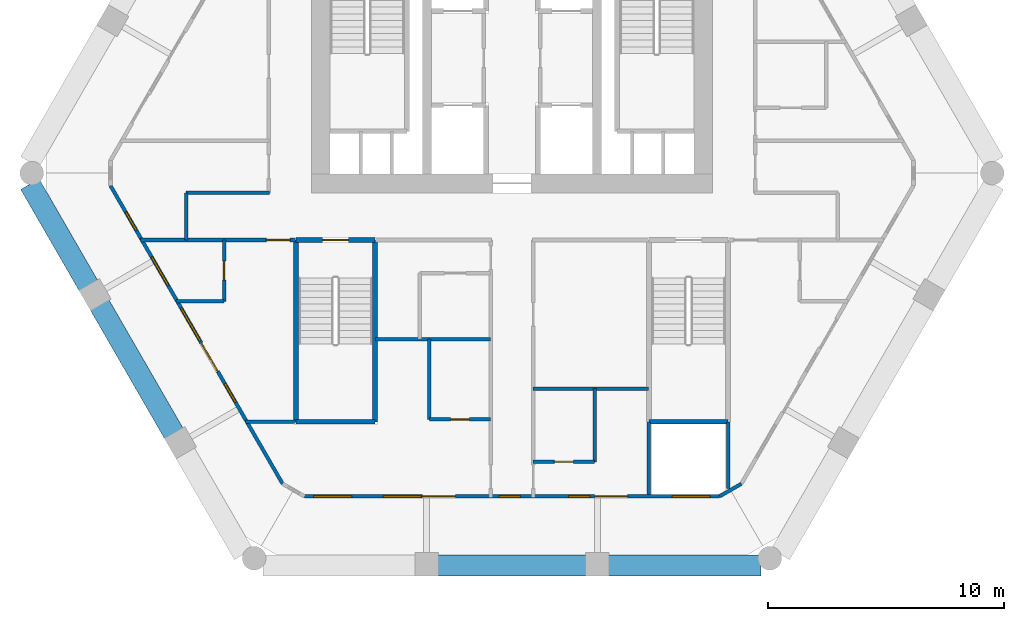
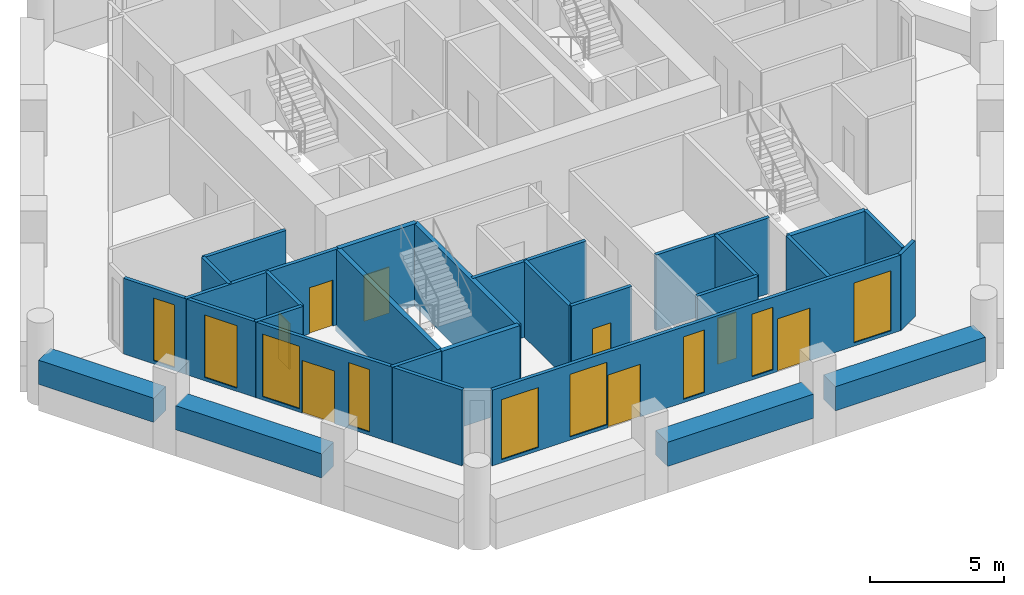
# One storey, part 2 of 7: 26 walls, 9 windows, 8 doors, 17 openings.
"""IFC4 building model written with IfcOpenShell, lengths in metres."""

from ifc_helpers import new_model, si_unit, direction, frame, frame_2d, origin, place, context, subcontext, project, spatial, rectangle, extrude, material, layer, layer_set, type_object, element, fill, save


model = new_model("IFC4")

# Units and contexts
model_context = context("Model", 3, precision=1e-05, world=origin(), true_north=direction((0.0, 1.0)))
body_context = subcontext(model_context, "Body", "Model", "MODEL_VIEW")
ifc_project = project(units=[si_unit("LENGTHUNIT", "METRE"), si_unit("AREAUNIT", "SQUARE_METRE"), si_unit("VOLUMEUNIT", "CUBIC_METRE"), si_unit("PLANEANGLEUNIT", "RADIAN"), si_unit("MASSUNIT", "GRAM", prefix="KILO")], contexts=[model_context])

# Site, building, storey
site_placement = place(None, origin())
site = spatial("IfcSite", under=ifc_project, at=site_placement, CompositionType="ELEMENT")
building_placement = place(site_placement, origin())
building = spatial("IfcBuilding", under=site, at=building_placement, Name="Ostrander Bayou Hotel Tower", CompositionType="ELEMENT")
storey_placement = place(building_placement, frame((0.0, 0.0, 190.75)))
storey = spatial("IfcBuildingStorey", under=building, at=storey_placement, Name="L47", CompositionType="ELEMENT", Elevation=190.75)

# Wall, openings, door, windows
ifc_material_1 = material(Name="Aluminium framed insulated wall", Category="aluminium")
ifc_layer_1 = layer(ifc_material_1, 0.14990234375)
ifc_layer_set_1 = layer_set([ifc_layer_1], Name="GW1 glass-line wall 150 mm")
wall_type_1 = type_object("IfcWallType", Name="GW1 glass-line wall 150 mm", PredefinedType="SOLIDWALL", material=ifc_layer_set_1)
wall_1_placement = place(storey_placement, frame((-17.003173828125, -1.39990234375, 0.0), z_axis=(0.0, 0.0, 1.0), x_axis=(0.500006098247, -0.866021882931, 0.0)))
wall_1 = element("IfcWall", 1, at=wall_1_placement, inside=storey, type_object=wall_type_1, Name="GW1 L47 SW 1", PredefinedType="SOLIDWALL", context=body_context, shape_type="SweptSolid", body=[
    extrude(rectangle(XDim=14.578369140625, YDim=0.14990234375, at=frame_2d((7.2890625, 0.0))), origin(), (0.0, 0.0, 1.0), 3.449951171875),
])
opening_1_placement = place(wall_1_placement, frame((1.289306640625, 0.0, 0.14990234375)))
opening_1 = element("IfcOpeningElement", 2, at=opening_1_placement, cuts=wall_1, Name="Opening W17", PredefinedType="OPENING", context=body_context, shape_type="SweptSolid", body=[
    extrude(rectangle(XDim=0.89990234375, YDim=2.85009765625, at=frame_2d((0.449951171875, 1.425048828125))), frame((0.0, 0.074951171875, 0.0), z_axis=(0.0, -1.0, 0.0), x_axis=(1.0, 0.0, 0.0)), (0.0, 0.0, 1.0), 0.14990234375),
])
opening_2_placement = place(wall_1_placement, frame((3.4892578125, 0.0, 0.14990234375)))
opening_2 = element("IfcOpeningElement", 3, at=opening_2_placement, cuts=wall_1, Name="Opening W13", PredefinedType="OPENING", context=body_context, shape_type="SweptSolid", body=[
    extrude(rectangle(XDim=1.39990234375, YDim=2.85009765625, at=frame_2d((0.699951171875, 1.425048828125))), frame((0.0, 0.074951171875, 0.0), z_axis=(0.0, -1.0, 0.0), x_axis=(1.0, 0.0, 0.0)), (0.0, 0.0, 1.0), 0.14990234375),
])
opening_3_placement = place(wall_1_placement, frame((5.982177734375, 0.0, 0.14990234375)))
opening_3 = element("IfcOpeningElement", 4, at=opening_3_placement, cuts=wall_1, Name="Opening W3", PredefinedType="OPENING", context=body_context, shape_type="SweptSolid", body=[
    extrude(rectangle(XDim=1.60009765625, YDim=2.85009765625, at=frame_2d((0.800048828125, 1.425048828125))), frame((0.0, 0.074951171875, 0.0), z_axis=(0.0, -1.0, 0.0), x_axis=(1.0, 0.0, 0.0)), (0.0, 0.0, 1.0), 0.14990234375),
])
opening_4_placement = place(wall_1_placement, frame((7.689208984375, 0.0, 0.0)))
opening_4 = element("IfcOpeningElement", 5, at=opening_4_placement, cuts=wall_1, Name="Opening T47-802", PredefinedType="OPENING", context=body_context, shape_type="SweptSolid", body=[
    extrude(rectangle(XDim=1.39990234375, YDim=2.39990234375, at=frame_2d((0.699951171875, 1.199951171875))), frame((0.0, 0.074951171875, 0.0), z_axis=(0.0, -1.0, 0.0), x_axis=(1.0, 0.0, 0.0)), (0.0, 0.0, 1.0), 0.14990234375),
])
opening_5_placement = place(wall_1_placement, frame((9.689208984375, 0.0, 0.14990234375)))
opening_5 = element("IfcOpeningElement", 6, at=opening_5_placement, cuts=wall_1, Name="Opening W17", PredefinedType="OPENING", context=body_context, shape_type="SweptSolid", body=[
    extrude(rectangle(XDim=0.89990234375, YDim=2.85009765625, at=frame_2d((0.449951171875, 1.425048828125))), frame((0.0, 0.074951171875, 0.0), z_axis=(0.0, -1.0, 0.0), x_axis=(1.0, 0.0, 0.0)), (0.0, 0.0, 1.0), 0.14990234375),
])
ifc_material_2 = material(Name="Aluminium and clear glass", Category="aluminium")
door_type_1 = type_object("IfcDoorType", Name="SD3 sliding glass door 1400 mm, zone 3", OperationType="SLIDING_TO_LEFT", PredefinedType="DOOR", material=ifc_material_2)
door_1_placement = place(opening_4_placement, origin())
door_1 = element("IfcDoor", 7, at=door_1_placement, inside=storey, type_object=door_type_1, Name="SD3 L47 SW 2", OperationType="SLIDING_TO_RIGHT", OverallHeight=2.39990234375, OverallWidth=1.39990234375, PredefinedType="DOOR", context=body_context, shape_type="SweptSolid", body=[
    extrude(rectangle(XDim=1.39990234375, YDim=2.39990234375, at=frame_2d((0.699951171875, 1.199951171875))), frame((0.0, 0.02490234375, 0.0), z_axis=(0.0, -1.0, 0.0), x_axis=(1.0, 0.0, 0.0)), (0.0, 0.0, 1.0), 0.050048828125),
])
fill(opening_4, door_1)
ifc_material_3 = material(Name="Aluminium and clear glass", Category="aluminium")
window_type_1 = type_object("IfcWindowType", Name="W13 fixed window 1400 mm, bath bay, zone 3", PartitioningType="SINGLE_PANEL", PredefinedType="WINDOW", material=ifc_material_3)
window_1_placement = place(opening_2_placement, origin())
window_1 = element("IfcWindow", 8, at=window_1_placement, inside=storey, type_object=window_type_1, Name="W13 L47 SW 1", OverallHeight=2.85009765625, OverallWidth=1.39990234375, PartitioningType="SINGLE_PANEL", PredefinedType="WINDOW", context=body_context, shape_type="SweptSolid", body=[
    extrude(rectangle(XDim=1.39990234375, YDim=2.85009765625, at=frame_2d((0.699951171875, 1.425048828125))), frame((0.0, 0.030029296875, 0.0), z_axis=(0.0, -1.0, 0.0), x_axis=(1.0, 0.0, 0.0)), (0.0, 0.0, 1.0), 0.06005859375),
])
fill(opening_2, window_1)
ifc_material_4 = material(Name="Aluminium and clear glass", Category="aluminium")
window_type_2 = type_object("IfcWindowType", Name="W17 window 900 mm, zone 3", PartitioningType="SINGLE_PANEL", PredefinedType="WINDOW", material=ifc_material_4)
window_2_placement = place(opening_1_placement, origin())
window_2 = element("IfcWindow", 9, at=window_2_placement, inside=storey, type_object=window_type_2, Name="W17 L47 SW 1", OverallHeight=2.85009765625, OverallWidth=0.89990234375, PartitioningType="SINGLE_PANEL", PredefinedType="WINDOW", context=body_context, shape_type="SweptSolid", body=[
    extrude(rectangle(XDim=0.89990234375, YDim=2.85009765625, at=frame_2d((0.449951171875, 1.425048828125))), frame((0.0, 0.030029296875, 0.0), z_axis=(0.0, -1.0, 0.0), x_axis=(1.0, 0.0, 0.0)), (0.0, 0.0, 1.0), 0.06005859375),
])
fill(opening_1, window_2)
window_3_placement = place(opening_5_placement, origin())
window_3 = element("IfcWindow", 10, at=window_3_placement, inside=storey, type_object=window_type_2, Name="W17 L47 SW 3", OverallHeight=2.85009765625, OverallWidth=0.89990234375, PartitioningType="SINGLE_PANEL", PredefinedType="WINDOW", context=body_context, shape_type="SweptSolid", body=[
    extrude(rectangle(XDim=0.89990234375, YDim=2.85009765625, at=frame_2d((0.449951171875, 1.425048828125))), frame((0.0, 0.030029296875, 0.0), z_axis=(0.0, -1.0, 0.0), x_axis=(1.0, 0.0, 0.0)), (0.0, 0.0, 1.0), 0.06005859375),
])
fill(opening_5, window_3)
ifc_material_5 = material(Name="Aluminium and clear glass", Category="aluminium")
window_type_3 = type_object("IfcWindowType", Name="W3 fixed window 1600 mm, zone 3", PartitioningType="SINGLE_PANEL", PredefinedType="WINDOW", material=ifc_material_5)
window_4_placement = place(opening_3_placement, origin())
window_4 = element("IfcWindow", 11, at=window_4_placement, inside=storey, type_object=window_type_3, Name="W3 L47 SW 2", OverallHeight=2.85009765625, OverallWidth=1.60009765625, PartitioningType="SINGLE_PANEL", PredefinedType="WINDOW", context=body_context, shape_type="SweptSolid", body=[
    extrude(rectangle(XDim=1.60009765625, YDim=2.85009765625, at=frame_2d((0.800048828125, 1.425048828125))), frame((0.0, 0.030029296875, 0.0), z_axis=(0.0, -1.0, 0.0), x_axis=(1.0, 0.0, 0.0)), (0.0, 0.0, 1.0), 0.06005859375),
])
fill(opening_3, window_4)

# Wall, openings, doors, windows
wall_2_placement = place(storey_placement, frame((-8.79150390625, -14.5576171875, 0.0), z_axis=(0.0, 0.0, 1.0), x_axis=(1.0, 0.0, 0.0)))
wall_2 = element("IfcWall", 12, at=wall_2_placement, inside=storey, type_object=wall_type_1, Name="GW1 L47 S 1", PredefinedType="SOLIDWALL", context=body_context, shape_type="SweptSolid", body=[
    extrude(rectangle(XDim=17.5830078125, YDim=0.14990234375, at=frame_2d((8.79150390625, 0.0))), origin(), (0.0, 0.0, 1.0), 3.449951171875),
])
opening_6_placement = place(wall_2_placement, frame((3.341552734375, 0.0, 0.14990234375)))
opening_6 = element("IfcOpeningElement", 13, at=opening_6_placement, cuts=wall_2, Name="Opening W3", PredefinedType="OPENING", context=body_context, shape_type="SweptSolid", body=[
    extrude(rectangle(XDim=1.60009765625, YDim=2.85009765625, at=frame_2d((0.800048828125, 1.425048828125))), frame((0.0, 0.074951171875, 0.0), z_axis=(0.0, -1.0, 0.0), x_axis=(1.0, 0.0, 0.0)), (0.0, 0.0, 1.0), 0.14990234375),
])
opening_7_placement = place(wall_2_placement, frame((4.991455078125, 0.0, 0.0)))
opening_7 = element("IfcOpeningElement", 14, at=opening_7_placement, cuts=wall_2, Name="Opening T47-803", PredefinedType="OPENING", context=body_context, shape_type="SweptSolid", body=[
    extrude(rectangle(XDim=1.39990234375, YDim=2.39990234375, at=frame_2d((0.699951171875, 1.199951171875))), frame((0.0, 0.074951171875, 0.0), z_axis=(0.0, -1.0, 0.0), x_axis=(1.0, 0.0, 0.0)), (0.0, 0.0, 1.0), 0.14990234375),
])
opening_8_placement = place(wall_2_placement, frame((8.241455078125, 0.0, 0.14990234375)))
opening_8 = element("IfcOpeningElement", 15, at=opening_8_placement, cuts=wall_2, Name="Opening W17", PredefinedType="OPENING", context=body_context, shape_type="SweptSolid", body=[
    extrude(rectangle(XDim=0.89990234375, YDim=2.85009765625, at=frame_2d((0.449951171875, 1.425048828125))), frame((0.0, 0.074951171875, 0.0), z_axis=(0.0, -1.0, 0.0), x_axis=(1.0, 0.0, 0.0)), (0.0, 0.0, 1.0), 0.14990234375),
])
opening_9_placement = place(wall_2_placement, frame((11.19140625, 0.0, 0.14990234375)))
opening_9 = element("IfcOpeningElement", 16, at=opening_9_placement, cuts=wall_2, Name="Opening W17", PredefinedType="OPENING", context=body_context, shape_type="SweptSolid", body=[
    extrude(rectangle(XDim=0.89990234375, YDim=2.85009765625, at=frame_2d((0.449951171875, 1.425048828125))), frame((0.0, 0.074951171875, 0.0), z_axis=(0.0, -1.0, 0.0), x_axis=(1.0, 0.0, 0.0)), (0.0, 0.0, 1.0), 0.14990234375),
])
opening_10_placement = place(wall_2_placement, frame((12.29150390625, 0.0, 0.0)))
opening_10 = element("IfcOpeningElement", 17, at=opening_10_placement, cuts=wall_2, Name="Opening T47-804", PredefinedType="OPENING", context=body_context, shape_type="SweptSolid", body=[
    extrude(rectangle(XDim=1.39990234375, YDim=2.39990234375, at=frame_2d((0.699951171875, 1.199951171875))), frame((0.0, 0.074951171875, 0.0), z_axis=(0.0, -1.0, 0.0), x_axis=(1.0, 0.0, 0.0)), (0.0, 0.0, 1.0), 0.14990234375),
])
opening_11_placement = place(wall_2_placement, frame((0.395751953125, 0.0, 0.14990234375)))
opening_11 = element("IfcOpeningElement", 18, at=opening_11_placement, cuts=wall_2, Name="Opening W3", PredefinedType="OPENING", context=body_context, shape_type="SweptSolid", body=[
    extrude(rectangle(XDim=1.60009765625, YDim=2.72998046875, at=frame_2d((0.800048828125, 1.364990234375))), frame((0.0, 0.074951171875, 0.0), z_axis=(0.0, -1.0, 0.0), x_axis=(1.0, 0.0, 0.0)), (0.0, 0.0, 1.0), 0.14990234375),
])
opening_12_placement = place(wall_2_placement, frame((15.58740234375, 0.0, 0.14990234375)))
opening_12 = element("IfcOpeningElement", 19, at=opening_12_placement, cuts=wall_2, Name="Opening W3", PredefinedType="OPENING", context=body_context, shape_type="SweptSolid", body=[
    extrude(rectangle(XDim=1.60009765625, YDim=2.72998046875, at=frame_2d((0.800048828125, 1.364990234375))), frame((0.0, 0.074951171875, 0.0), z_axis=(0.0, -1.0, 0.0), x_axis=(1.0, 0.0, 0.0)), (0.0, 0.0, 1.0), 0.14990234375),
])
door_2_placement = place(opening_7_placement, origin())
door_2 = element("IfcDoor", 20, at=door_2_placement, inside=storey, type_object=door_type_1, Name="SD3 L47 S 1", OperationType="SLIDING_TO_LEFT", OverallHeight=2.39990234375, OverallWidth=1.39990234375, PredefinedType="DOOR", context=body_context, shape_type="SweptSolid", body=[
    extrude(rectangle(XDim=1.39990234375, YDim=2.39990234375, at=frame_2d((0.699951171875, 1.199951171875))), frame((0.0, 0.02490234375, 0.0), z_axis=(0.0, -1.0, 0.0), x_axis=(1.0, 0.0, 0.0)), (0.0, 0.0, 1.0), 0.050048828125),
])
fill(opening_7, door_2)
door_3_placement = place(opening_10_placement, origin())
door_3 = element("IfcDoor", 21, at=door_3_placement, inside=storey, type_object=door_type_1, Name="SD3 L47 S 3", OperationType="SLIDING_TO_LEFT", OverallHeight=2.39990234375, OverallWidth=1.39990234375, PredefinedType="DOOR", context=body_context, shape_type="SweptSolid", body=[
    extrude(rectangle(XDim=1.39990234375, YDim=2.39990234375, at=frame_2d((0.699951171875, 1.199951171875))), frame((0.0, 0.02490234375, 0.0), z_axis=(0.0, -1.0, 0.0), x_axis=(1.0, 0.0, 0.0)), (0.0, 0.0, 1.0), 0.050048828125),
])
fill(opening_10, door_3)
window_5_placement = place(opening_8_placement, origin())
window_5 = element("IfcWindow", 22, at=window_5_placement, inside=storey, type_object=window_type_2, Name="W17 L47 S 2", OverallHeight=2.85009765625, OverallWidth=0.89990234375, PartitioningType="SINGLE_PANEL", PredefinedType="WINDOW", context=body_context, shape_type="SweptSolid", body=[
    extrude(rectangle(XDim=0.89990234375, YDim=2.85009765625, at=frame_2d((0.449951171875, 1.425048828125))), frame((0.0, 0.030029296875, 0.0), z_axis=(0.0, -1.0, 0.0), x_axis=(1.0, 0.0, 0.0)), (0.0, 0.0, 1.0), 0.06005859375),
])
fill(opening_8, window_5)
window_6_placement = place(opening_9_placement, origin())
window_6 = element("IfcWindow", 23, at=window_6_placement, inside=storey, type_object=window_type_2, Name="W17 L47 S 3", OverallHeight=2.85009765625, OverallWidth=0.89990234375, PartitioningType="SINGLE_PANEL", PredefinedType="WINDOW", context=body_context, shape_type="SweptSolid", body=[
    extrude(rectangle(XDim=0.89990234375, YDim=2.85009765625, at=frame_2d((0.449951171875, 1.425048828125))), frame((0.0, 0.030029296875, 0.0), z_axis=(0.0, -1.0, 0.0), x_axis=(1.0, 0.0, 0.0)), (0.0, 0.0, 1.0), 0.06005859375),
])
fill(opening_9, window_6)
window_7_placement = place(opening_6_placement, origin())
window_7 = element("IfcWindow", 24, at=window_7_placement, inside=storey, type_object=window_type_3, Name="W3 L47 S 1", OverallHeight=2.85009765625, OverallWidth=1.60009765625, PartitioningType="SINGLE_PANEL", PredefinedType="WINDOW", context=body_context, shape_type="SweptSolid", body=[
    extrude(rectangle(XDim=1.60009765625, YDim=2.85009765625, at=frame_2d((0.800048828125, 1.425048828125))), frame((0.0, 0.030029296875, 0.0), z_axis=(0.0, -1.0, 0.0), x_axis=(1.0, 0.0, 0.0)), (0.0, 0.0, 1.0), 0.06005859375),
])
fill(opening_6, window_7)
window_8_placement = place(opening_11_placement, origin())
window_8 = element("IfcWindow", 25, at=window_8_placement, inside=storey, type_object=window_type_3, Name="W3 L47 S E11", OverallHeight=2.72998046875, OverallWidth=1.60009765625, PartitioningType="SINGLE_PANEL", PredefinedType="WINDOW", context=body_context, shape_type="SweptSolid", body=[
    extrude(rectangle(XDim=1.60009765625, YDim=2.72998046875, at=frame_2d((0.800048828125, 1.364990234375))), frame((0.0, 0.030029296875, 0.0), z_axis=(0.0, -1.0, 0.0), x_axis=(1.0, 0.0, 0.0)), (0.0, 0.0, 1.0), 0.06005859375),
])
fill(opening_11, window_8)
window_9_placement = place(opening_12_placement, origin())
window_9 = element("IfcWindow", 26, at=window_9_placement, inside=storey, type_object=window_type_3, Name="W3 L47 S E21", OverallHeight=2.72998046875, OverallWidth=1.60009765625, PartitioningType="SINGLE_PANEL", PredefinedType="WINDOW", context=body_context, shape_type="SweptSolid", body=[
    extrude(rectangle(XDim=1.60009765625, YDim=2.72998046875, at=frame_2d((0.800048828125, 1.364990234375))), frame((0.0, 0.030029296875, 0.0), z_axis=(0.0, -1.0, 0.0), x_axis=(1.0, 0.0, 0.0)), (0.0, 0.0, 1.0), 0.06005859375),
])
fill(opening_12, window_9)

# Walls
wall_3_placement = place(storey_placement, frame((8.79150390625, -14.5576171875, 0.0), z_axis=(0.0, 0.0, 1.0), x_axis=(0.866048165231, 0.499960573946, 0.0)))
element("IfcWall", 27, at=wall_3_placement, inside=storey, type_object=wall_type_1, Name="GW1 L47 corner 4", PredefinedType="SOLIDWALL", context=body_context, shape_type="SweptSolid", body=[
    extrude(rectangle(XDim=1.06494140625, YDim=0.14990234375, at=frame_2d((0.532470703125, 0.0))), origin(), (0.0, 0.0, 1.0), 3.449951171875),
])
ifc_material_6 = material(Name="Concrete f'c 40 MPa", Category="concrete")
ifc_layer_2 = layer(ifc_material_6, 0.89990234375)
ifc_layer_set_2 = layer_set([ifc_layer_2], Name="PA1 stone-faced parapet 900 mm")
wall_type_2 = type_object("IfcWallType", Name="PA1 stone-faced parapet 900 mm", PredefinedType="PARAPET", material=ifc_layer_set_2)
wall_4_placement = place(storey_placement, frame((-3.148193359375, -17.482666015625, 0.0), z_axis=(0.0, 0.0, 1.0), x_axis=(1.0, 0.0, 0.0)))
element("IfcWall", 28, at=wall_4_placement, inside=storey, type_object=wall_type_2, Name="PA1 L47 S-2", PredefinedType="PARAPET", context=body_context, shape_type="SweptSolid", body=[
    extrude(rectangle(XDim=6.29638671875, YDim=0.89990234375, at=frame_2d((3.148193359375, 0.0))), origin(), (0.0, 0.0, 1.0), 1.10009765625),
])
wall_5_placement = place(storey_placement, frame((4.088134765625, -17.482666015625, 0.0), z_axis=(0.0, 0.0, 1.0), x_axis=(1.0, 0.0, 0.0)))
element("IfcWall", 29, at=wall_5_placement, inside=storey, type_object=wall_type_2, Name="PA1 L47 S-3", PredefinedType="PARAPET", context=body_context, shape_type="SweptSolid", body=[
    extrude(rectangle(XDim=6.464599609375, YDim=0.89990234375, at=frame_2d((3.232421875, 0.0))), origin(), (0.0, 0.0, 1.0), 1.10009765625),
])
ifc_material_7 = material(Name="Limestone masonry", Category="masonry")
ifc_layer_3 = layer(ifc_material_7, 0.89990234375)
ifc_layer_set_3 = layer_set([ifc_layer_3], Name="PA2 limestone parapet 900 mm")
wall_type_3 = type_object("IfcWallType", Name="PA2 limestone parapet 900 mm", PredefinedType="PARAPET", material=ifc_layer_set_3)
wall_6_placement = place(storey_placement, frame((-20.416748046875, -1.337158203125, 0.0), z_axis=(0.0, 0.0, 1.0), x_axis=(0.500017732557, -0.866015165646, 0.0)))
element("IfcWall", 30, at=wall_6_placement, inside=storey, type_object=wall_type_3, Name="PA2 L47 SW-1", PredefinedType="PARAPET", context=body_context, shape_type="SweptSolid", body=[
    extrude(rectangle(XDim=4.962158203125, YDim=0.89990234375, at=frame_2d((2.48095703125, 0.0))), origin(), (0.0, 0.0, 1.0), 1.10009765625),
])
wall_7_placement = place(storey_placement, frame((-17.465576171875, -6.44873046875, 0.0), z_axis=(0.0, 0.0, 1.0), x_axis=(0.500013351051, -0.866017695414, 0.0)))
element("IfcWall", 31, at=wall_7_placement, inside=storey, type_object=wall_type_3, Name="PA2 L47 SW-2", PredefinedType="PARAPET", context=body_context, shape_type="SweptSolid", body=[
    extrude(rectangle(XDim=6.296142578125, YDim=0.89990234375, at=frame_2d((3.14794921875, 0.0))), origin(), (0.0, 0.0, 1.0), 1.10009765625),
])
ifc_material_8 = material(Name="Gypsum board partition", Category="finish")
ifc_layer_4 = layer(ifc_material_8, 0.14990234375)
ifc_layer_set_4 = layer_set([ifc_layer_4], Name="PT7 riser wall 150 mm, 2 hour")
wall_type_4 = type_object("IfcWallType", Name="PT7 riser wall 150 mm, 2 hour", PredefinedType="PARTITIONING", material=ifc_layer_set_4)
wall_8_placement = place(storey_placement, frame((5.800048828125, -11.39990234375, 0.0), z_axis=(0.0, 0.0, 1.0), x_axis=(0.0, -1.0, 0.0)))
element("IfcWall", 32, at=wall_8_placement, inside=storey, type_object=wall_type_4, Name="cs:L47:021", PredefinedType="PARTITIONING", context=body_context, shape_type="SweptSolid", body=[
    extrude(rectangle(XDim=3.082763671875, YDim=0.14990234375, at=frame_2d((1.54150390625, 0.0))), origin(), (0.0, 0.0, 1.0), 3.449951171875),
])
wall_9_placement = place(storey_placement, frame((9.14990234375, -11.39990234375, 0.0), z_axis=(0.0, 0.0, 1.0), x_axis=(0.0, -1.0, 0.0)))
element("IfcWall", 33, at=wall_9_placement, inside=storey, type_object=wall_type_4, Name="cs:L47:022", PredefinedType="PARTITIONING", context=body_context, shape_type="SweptSolid", body=[
    extrude(rectangle(XDim=2.83251953125, YDim=0.14990234375, at=frame_2d((1.416259765625, 0.0))), origin(), (0.0, 0.0, 1.0), 3.449951171875),
])

# Wall, opening, door
ifc_material_9 = material(Name="Gypsum board partition", Category="finish")
ifc_layer_5 = layer(ifc_material_9, 0.14990234375)
ifc_layer_set_5 = layer_set([ifc_layer_5], Name="PT8 service band wall 150 mm, 1 hour")
wall_type_5 = type_object("IfcWallType", Name="PT8 service band wall 150 mm, 1 hour", PredefinedType="PARTITIONING", material=ifc_layer_set_5)
wall_10_placement = place(storey_placement, frame((0.89990234375, -13.094970703125, 0.0), z_axis=(0.0, 0.0, 1.0), x_axis=(1.0, 0.0, 0.0)))
wall_10 = element("IfcWall", 34, at=wall_10_placement, inside=storey, type_object=wall_type_5, Name="gw:L47:001", PredefinedType="PARTITIONING", context=body_context, shape_type="SweptSolid", body=[
    extrude(rectangle(XDim=2.60009765625, YDim=0.14990234375, at=frame_2d((1.300048828125, 0.0))), origin(), (0.0, 0.0, 1.0), 3.449951171875),
])
opening_13_placement = place(wall_10_placement, frame((0.89990234375, 0.0, 0.0)))
opening_13 = element("IfcOpeningElement", 35, at=opening_13_placement, cuts=wall_10, Name="Opening T47-408", PredefinedType="OPENING", context=body_context, shape_type="SweptSolid", body=[
    extrude(rectangle(XDim=0.800048828125, YDim=2.10009765625, at=frame_2d((0.39990234375, 1.050048828125))), frame((0.0, 0.074951171875, 0.0), z_axis=(0.0, -1.0, 0.0), x_axis=(1.0, 0.0, 0.0)), (0.0, 0.0, 1.0), 0.14990234375),
])
ifc_material_10 = material(Name="Timber door leaf", Category="wood")
door_type_2 = type_object("IfcDoorType", Name="D2 bathroom door 800 x 2100 mm", OperationType="SINGLE_SWING_LEFT", PredefinedType="DOOR", material=ifc_material_10)
door_4_placement = place(opening_13_placement, origin())
door_4 = element("IfcDoor", 36, at=door_4_placement, inside=storey, type_object=door_type_2, Name="dr:L47:408", OperationType="SINGLE_SWING_LEFT", OverallHeight=2.10009765625, OverallWidth=0.800048828125, PredefinedType="DOOR", context=body_context, shape_type="SweptSolid", body=[
    extrude(rectangle(XDim=0.800048828125, YDim=2.10009765625, at=frame_2d((0.39990234375, 1.050048828125))), frame((0.0, 0.02490234375, 0.0), z_axis=(0.0, -1.0, 0.0), x_axis=(1.0, 0.0, 0.0)), (0.0, 0.0, 1.0), 0.050048828125),
])
fill(opening_13, door_4)

# Wall
wall_11_placement = place(storey_placement, frame((-11.281005859375, -11.39990234375, 0.0), z_axis=(0.0, 0.0, 1.0), x_axis=(1.0, 0.0, 0.0)))
element("IfcWall", 37, at=wall_11_placement, inside=storey, type_object=wall_type_5, Name="gw:L47:002", PredefinedType="PARTITIONING", context=body_context, shape_type="SweptSolid", body=[
    extrude(rectangle(XDim=2.12109375, YDim=0.14990234375, at=frame_2d((1.060546875, 0.0))), origin(), (0.0, 0.0, 1.0), 3.449951171875),
])

# Wall, opening, door
wall_12_placement = place(storey_placement, frame((-3.5, -11.300048828125, 0.0), z_axis=(0.0, 0.0, 1.0), x_axis=(1.0, 0.0, 0.0)))
wall_12 = element("IfcWall", 38, at=wall_12_placement, inside=storey, type_object=wall_type_5, Name="gw:L47:003", PredefinedType="PARTITIONING", context=body_context, shape_type="SweptSolid", body=[
    extrude(rectangle(XDim=2.60009765625, YDim=0.14990234375, at=frame_2d((1.300048828125, 0.0))), origin(), (0.0, 0.0, 1.0), 3.449951171875),
])
opening_14_placement = place(wall_12_placement, frame((0.89990234375, 0.0, 0.0)))
opening_14 = element("IfcOpeningElement", 39, at=opening_14_placement, cuts=wall_12, Name="Opening T47-405", PredefinedType="OPENING", context=body_context, shape_type="SweptSolid", body=[
    extrude(rectangle(XDim=0.800048828125, YDim=2.10009765625, at=frame_2d((0.39990234375, 1.050048828125))), frame((0.0, 0.074951171875, 0.0), z_axis=(0.0, -1.0, 0.0), x_axis=(1.0, 0.0, 0.0)), (0.0, 0.0, 1.0), 0.14990234375),
])
door_5_placement = place(opening_14_placement, origin())
door_5 = element("IfcDoor", 40, at=door_5_placement, inside=storey, type_object=door_type_2, Name="dr:L47:405", OperationType="SINGLE_SWING_RIGHT", OverallHeight=2.10009765625, OverallWidth=0.800048828125, PredefinedType="DOOR", context=body_context, shape_type="SweptSolid", body=[
    extrude(rectangle(XDim=0.800048828125, YDim=2.10009765625, at=frame_2d((0.39990234375, 1.050048828125))), frame((0.0, 0.02490234375, 0.0), z_axis=(0.0, -1.0, 0.0), x_axis=(1.0, 0.0, 0.0)), (0.0, 0.0, 1.0), 0.050048828125),
])
fill(opening_14, door_5)

# Walls
for number, where, z_axis, x_axis, name in (
    (41, (0.89990234375, -10.0, 0.0), (0.0, 0.0, 1.0), (1.0, 0.0, 0.0), "gw:L47:004"),
    (42, (-5.7900390625, -7.89990234375, 0.0), (0.0, 0.0, 1.0), (1.0, 0.0, 0.0), "gw:L47:005"),
):
    element("IfcWall", number, at=place(storey_placement, frame(where, z_axis=z_axis, x_axis=x_axis)), inside=storey, type_object=wall_type_5, Name=name, PredefinedType="PARTITIONING", context=body_context, shape_type="SweptSolid", body=[
        extrude(rectangle(XDim=4.89013671875, YDim=0.14990234375, at=frame_2d((2.445068359375, 0.0))), origin(), (0.0, 0.0, 1.0), 3.449951171875),
    ])
wall_13_placement = place(storey_placement, frame((-14.22607421875, -6.300048828125, 0.0), z_axis=(0.0, 0.0, 1.0), x_axis=(1.0, 0.0, 0.0)))
element("IfcWall", 43, at=wall_13_placement, inside=storey, type_object=wall_type_5, Name="gw:L47:006", PredefinedType="PARTITIONING", context=body_context, shape_type="SweptSolid", body=[
    extrude(rectangle(XDim=2.031005859375, YDim=0.14990234375, at=frame_2d((1.015625, 0.0))), origin(), (0.0, 0.0, 1.0), 3.449951171875),
])

# Wall, opening, door
wall_14_placement = place(storey_placement, frame((-15.72705078125, -3.699951171875, 0.0), z_axis=(0.0, 0.0, 1.0), x_axis=(1.0, 0.0, 0.0)))
wall_14 = element("IfcWall", 44, at=wall_14_placement, inside=storey, type_object=wall_type_5, Name="gw:L47:009", PredefinedType="PARTITIONING", context=body_context, shape_type="SweptSolid", body=[
    extrude(rectangle(XDim=6.567138671875, YDim=0.14990234375, at=frame_2d((3.28369140625, 0.0))), origin(), (0.0, 0.0, 1.0), 3.449951171875),
])
opening_15_placement = place(wall_14_placement, frame((5.326904296875, 0.0, 0.0)))
opening_15 = element("IfcOpeningElement", 45, at=opening_15_placement, cuts=wall_14, Name="Opening T47-400", PredefinedType="OPENING", context=body_context, shape_type="SweptSolid", body=[
    extrude(rectangle(XDim=1.0, YDim=2.10009765625, at=frame_2d((0.5, 1.050048828125))), frame((0.0, 0.074951171875, 0.0), z_axis=(0.0, -1.0, 0.0), x_axis=(1.0, 0.0, 0.0)), (0.0, 0.0, 1.0), 0.14990234375),
])
ifc_material_11 = material(Name="Timber door leaf", Category="wood")
door_type_3 = type_object("IfcDoorType", Name="D1 guest room door 1000 x 2100 mm, 30 minute", OperationType="SINGLE_SWING_LEFT", PredefinedType="DOOR", material=ifc_material_11)
door_6_placement = place(opening_15_placement, origin())
door_6 = element("IfcDoor", 46, at=door_6_placement, inside=storey, type_object=door_type_3, Name="dr:L47:400", OperationType="SINGLE_SWING_RIGHT", OverallHeight=2.10009765625, OverallWidth=1.0, PredefinedType="DOOR", context=body_context, shape_type="SweptSolid", body=[
    extrude(rectangle(XDim=1.0, YDim=2.10009765625, at=frame_2d((0.5, 1.050048828125))), frame((0.0, 0.02490234375, 0.0), z_axis=(0.0, -1.0, 0.0), x_axis=(1.0, 0.0, 0.0)), (0.0, 0.0, 1.0), 0.050048828125),
])
fill(opening_15, door_6)

# Walls
wall_15_placement = place(storey_placement, frame((-13.800048828125, -1.699951171875, 0.0), z_axis=(0.0, 0.0, 1.0), x_axis=(1.0, 0.0, 0.0)))
element("IfcWall", 47, at=wall_15_placement, inside=storey, type_object=wall_type_5, Name="gw:L47:013", PredefinedType="PARTITIONING", context=body_context, shape_type="SweptSolid", body=[
    extrude(rectangle(XDim=3.5400390625, YDim=0.14990234375, at=frame_2d((1.77001953125, 0.0))), origin(), (0.0, 0.0, 1.0), 3.449951171875),
])
wall_16_placement = place(storey_placement, frame((3.5, -13.094970703125, 0.0), z_axis=(0.0, 0.0, 1.0), x_axis=(0.0, 1.0, 0.0)))
element("IfcWall", 48, at=wall_16_placement, inside=storey, type_object=wall_type_5, Name="gw:L47:029", PredefinedType="PARTITIONING", context=body_context, shape_type="SweptSolid", body=[
    extrude(rectangle(XDim=3.094970703125, YDim=0.14990234375, at=frame_2d((1.54736328125, 0.0))), origin(), (0.0, 0.0, 1.0), 3.449951171875),
])
wall_17_placement = place(storey_placement, frame((-3.5, -11.300048828125, 0.0), z_axis=(0.0, 0.0, 1.0), x_axis=(0.0, 1.0, 0.0)))
element("IfcWall", 49, at=wall_17_placement, inside=storey, type_object=wall_type_5, Name="gw:L47:032", PredefinedType="PARTITIONING", context=body_context, shape_type="SweptSolid", body=[
    extrude(rectangle(XDim=3.400146484375, YDim=0.14990234375, at=frame_2d((1.7001953125, 0.0))), origin(), (0.0, 0.0, 1.0), 3.449951171875),
])

# Wall, opening, door
wall_18_placement = place(storey_placement, frame((-12.195068359375, -6.300048828125, 0.0), z_axis=(0.0, 0.0, 1.0), x_axis=(0.0, 1.0, 0.0)))
wall_18 = element("IfcWall", 50, at=wall_18_placement, inside=storey, type_object=wall_type_5, Name="gw:L47:036", PredefinedType="PARTITIONING", context=body_context, shape_type="SweptSolid", body=[
    extrude(rectangle(XDim=2.60009765625, YDim=0.14990234375, at=frame_2d((1.300048828125, 0.0))), origin(), (0.0, 0.0, 1.0), 3.449951171875),
])
opening_16_placement = place(wall_18_placement, frame((0.89990234375, 0.0, 0.0)))
opening_16 = element("IfcOpeningElement", 51, at=opening_16_placement, cuts=wall_18, Name="Opening T47-401", PredefinedType="OPENING", context=body_context, shape_type="SweptSolid", body=[
    extrude(rectangle(XDim=0.800048828125, YDim=2.10009765625, at=frame_2d((0.39990234375, 1.050048828125))), frame((0.0, 0.074951171875, 0.0), z_axis=(0.0, -1.0, 0.0), x_axis=(1.0, 0.0, 0.0)), (0.0, 0.0, 1.0), 0.14990234375),
])
door_7_placement = place(opening_16_placement, origin())
door_7 = element("IfcDoor", 52, at=door_7_placement, inside=storey, type_object=door_type_2, Name="dr:L47:401", OperationType="SINGLE_SWING_RIGHT", OverallHeight=2.10009765625, OverallWidth=0.800048828125, PredefinedType="DOOR", context=body_context, shape_type="SweptSolid", body=[
    extrude(rectangle(XDim=0.800048828125, YDim=2.10009765625, at=frame_2d((0.39990234375, 1.050048828125))), frame((0.0, 0.02490234375, 0.0), z_axis=(0.0, -1.0, 0.0), x_axis=(1.0, 0.0, 0.0)), (0.0, 0.0, 1.0), 0.050048828125),
])
fill(opening_16, door_7)

# Walls
wall_19_placement = place(storey_placement, frame((-13.800048828125, -3.699951171875, 0.0), z_axis=(0.0, 0.0, 1.0), x_axis=(0.0, 1.0, 0.0)))
element("IfcWall", 53, at=wall_19_placement, inside=storey, type_object=wall_type_5, Name="gw:L47:037", PredefinedType="PARTITIONING", context=body_context, shape_type="SweptSolid", body=[
    extrude(rectangle(XDim=2.0, YDim=0.14990234375, at=frame_2d((1.0, 0.0))), origin(), (0.0, 0.0, 1.0), 3.449951171875),
])
ifc_material_12 = material(Name="Concrete f'c 45 MPa", Category="concrete")
ifc_layer_6 = layer(ifc_material_12, 0.199951171875)
ifc_layer_set_6 = layer_set([ifc_layer_6], Name="SW5 stair enclosure wall 200 mm f'c 45 MPa")
wall_type_6 = type_object("IfcWallType", Name="SW5 stair enclosure wall 200 mm f'c 45 MPa", PredefinedType="SOLIDWALL", material=ifc_layer_set_6)
wall_20_placement = place(storey_placement, frame((5.800048828125, -11.39990234375, -0.300048828125), z_axis=(0.0, 0.0, 1.0), x_axis=(1.0, 0.0, 0.0)))
element("IfcWall", 54, at=wall_20_placement, inside=storey, type_object=wall_type_6, Name="cs:L47:020", PredefinedType="SOLIDWALL", context=body_context, shape_type="SweptSolid", body=[
    extrude(rectangle(XDim=3.349853515625, YDim=0.199951171875, at=frame_2d((1.6748046875, 0.0))), origin(), (0.0, 0.0, 1.0), 3.75),
])

# Wall, opening, door
wall_21_placement = place(storey_placement, frame((-9.14990234375, -3.699951171875, -0.300048828125), z_axis=(0.0, 0.0, 1.0), x_axis=(1.0, 0.0, 0.0)))
wall_21 = element("IfcWall", 55, at=wall_21_placement, inside=storey, type_object=wall_type_6, Name="cs:L47:023", PredefinedType="SOLIDWALL", context=body_context, shape_type="SweptSolid", body=[
    extrude(rectangle(XDim=3.349853515625, YDim=0.199951171875, at=frame_2d((1.6748046875, 0.0))), origin(), (0.0, 0.0, 1.0), 3.75),
])
opening_17_placement = place(wall_21_placement, frame((1.125, 0.0, 0.0)))
opening_17 = element("IfcOpeningElement", 56, at=opening_17_placement, cuts=wall_21, Name="Opening T47-012", PredefinedType="OPENING", context=body_context, shape_type="SweptSolid", body=[
    extrude(rectangle(XDim=1.10009765625, YDim=2.10009765625, at=frame_2d((0.550048828125, 1.050048828125))), frame((0.0, 0.10009765625, 0.0), z_axis=(0.0, -1.0, 0.0), x_axis=(1.0, 0.0, 0.0)), (0.0, 0.0, 1.0), 0.199951171875),
])
ifc_material_13 = material(Name="Timber door leaf", Category="wood")
door_type_4 = type_object("IfcDoorType", Name="D5 stair door 1100 x 2100 mm, 90 minute", OperationType="SINGLE_SWING_LEFT", PredefinedType="DOOR", material=ifc_material_13)
door_8_placement = place(opening_17_placement, origin())
door_8 = element("IfcDoor", 57, at=door_8_placement, inside=storey, type_object=door_type_4, Name="dr:L47:012", OperationType="SINGLE_SWING_LEFT", OverallHeight=2.10009765625, OverallWidth=1.10009765625, PredefinedType="DOOR", context=body_context, shape_type="SweptSolid", body=[
    extrude(rectangle(XDim=1.10009765625, YDim=2.10009765625, at=frame_2d((0.550048828125, 1.050048828125))), frame((0.0, 0.02490234375, 0.0), z_axis=(0.0, -1.0, 0.0), x_axis=(1.0, 0.0, 0.0)), (0.0, 0.0, 1.0), 0.050048828125),
])
fill(opening_17, door_8)

# Walls
for number, where, z_axis, x_axis, name in (
    (58, (-9.14990234375, -3.699951171875, -0.300048828125), (0.0, 0.0, 1.0), (0.0, -1.0, 0.0), "cs:L47:024"),
    (59, (-5.800048828125, -3.699951171875, -0.300048828125), (0.0, 0.0, 1.0), (0.0, -1.0, 0.0), "cs:L47:025"),
):
    element("IfcWall", number, at=place(storey_placement, frame(where, z_axis=z_axis, x_axis=x_axis)), inside=storey, type_object=wall_type_6, Name=name, PredefinedType="SOLIDWALL", context=body_context, shape_type="SweptSolid", body=[
        extrude(rectangle(XDim=7.699951171875, YDim=0.199951171875, at=frame_2d((3.85009765625, 0.0))), origin(), (0.0, 0.0, 1.0), 3.75),
    ])
wall_22_placement = place(storey_placement, frame((-9.14990234375, -11.39990234375, -0.300048828125), z_axis=(0.0, 0.0, 1.0), x_axis=(1.0, 0.0, 0.0)))
element("IfcWall", 60, at=wall_22_placement, inside=storey, type_object=wall_type_6, Name="cs:L47:026", PredefinedType="SOLIDWALL", context=body_context, shape_type="SweptSolid", body=[
    extrude(rectangle(XDim=3.349853515625, YDim=0.199951171875, at=frame_2d((1.6748046875, 0.0))), origin(), (0.0, 0.0, 1.0), 3.75),
])

save(model, "model.ifc")
